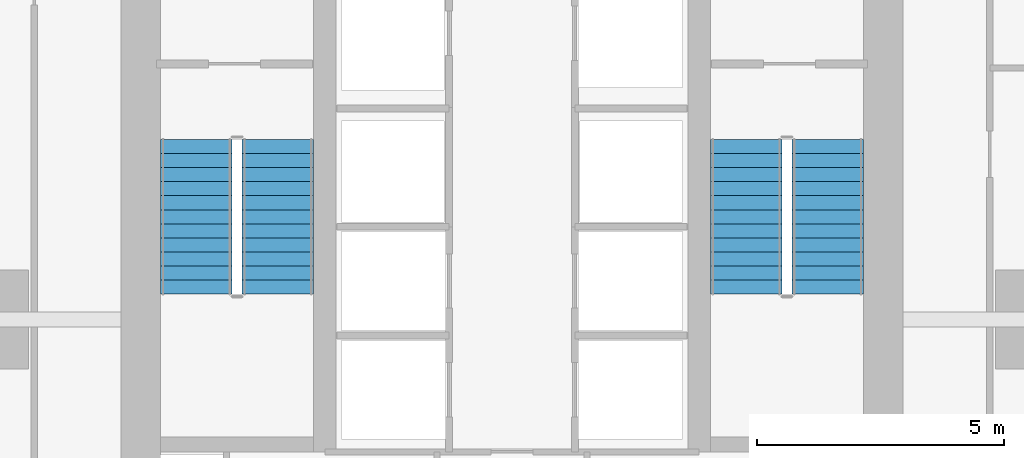
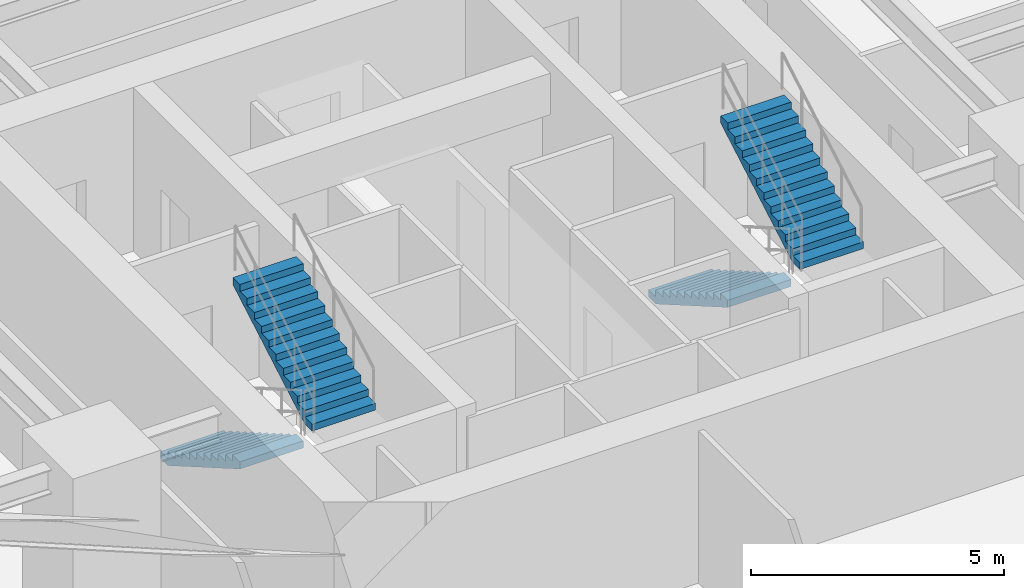
# One storey, part 25 of 27: 4 stair flights, 2 elements without a shape of their own.
"""IFC4 building model written with IfcOpenShell, lengths in metres."""

from ifc_helpers import new_model, si_unit, direction, frame, origin, place, context, subcontext, project, spatial, polyline, outline, extrude, material, type_object, element, aggregate, save


model = new_model("IFC4")

# Units and contexts
model_context = context("Model", 3, precision=1e-05, world=origin(), true_north=direction((0.0, 1.0)))
body_context = subcontext(model_context, "Body", "Model", "MODEL_VIEW")
ifc_project = project(units=[si_unit("LENGTHUNIT", "METRE"), si_unit("AREAUNIT", "SQUARE_METRE"), si_unit("VOLUMEUNIT", "CUBIC_METRE"), si_unit("PLANEANGLEUNIT", "RADIAN"), si_unit("MASSUNIT", "GRAM", prefix="KILO")], contexts=[model_context])

# Site, building, storey
site_placement = place(None, origin())
site = spatial("IfcSite", under=ifc_project, at=site_placement, CompositionType="ELEMENT")
building_placement = place(site_placement, origin())
building = spatial("IfcBuilding", under=site, at=building_placement, Name="Krantzveldt Concourse Tower", CompositionType="ELEMENT")
storey_placement = place(building_placement, frame((0.0, 0.0, 105.85009765625)))
storey = spatial("IfcBuildingStorey", under=building, at=storey_placement, Name="L25", CompositionType="ELEMENT", Elevation=105.85009765625)

# Stair, stair flights
ifc_material = material(Name="Precast concrete C40/50", Category="concrete")
stair_type = type_object("IfcStairType", Name="STR-CORE-DOGLEG", PredefinedType="HALF_TURN_STAIR", material=ifc_material)
stair_1_placement = place(storey_placement, origin())
stair_1 = element("IfcStair", 1, at=stair_1_placement, inside=storey, type_object=stair_type, Name="L25 Protected Escape Stair ST-1", PredefinedType="HALF_TURN_STAIR")
stair_flight_type = type_object("IfcStairFlightType", Name="STF-CORE-1450", PredefinedType="STRAIGHT", material=ifc_material)
stair_flight_1_placement = place(storey_placement, frame((29.60498046875, 19.550048828125, 0.0), z_axis=(0.0, 0.0, 1.0), x_axis=(0.0, -1.0, 0.0)))
stair_flight_1 = element("IfcStairFlight", 2, at=stair_flight_1_placement, type_object=stair_flight_type, Name="ST-1 flight 1", NumberOfRisers=12, NumberOfTreads=11, PredefinedType="STRAIGHT", RiserHeight=0.164583333, TreadLength=0.285, context=body_context, shape_type="SweptSolid", body=[
    extrude(outline(polyline([(0.0, 0.0), (0.0, 0.16455078125), (0.284912109375, 0.16455078125), (0.284912109375, 0.3291015625), (0.570068359375, 0.3291015625), (0.570068359375, 0.49365234375), (0.85498046875, 0.49365234375), (0.85498046875, 0.658447265625), (1.139892578125, 0.658447265625), (1.139892578125, 0.822998046875), (1.425048828125, 0.822998046875), (1.425048828125, 0.987548828125), (1.7099609375, 0.987548828125), (1.7099609375, 1.152099609375), (1.9951171875, 1.152099609375), (1.9951171875, 1.316650390625), (2.280029296875, 1.316650390625), (2.280029296875, 1.481201171875), (2.56494140625, 1.481201171875), (2.56494140625, 1.645751953125), (2.85009765625, 1.645751953125), (2.85009765625, 1.810302734375), (3.135009765625, 1.810302734375), (3.135009765625, 1.97509765625), (3.135009765625, 1.63720703125), (0.2998046875, 0.0), (0.0, 0.0)])), frame((0.0, 0.72509765625, 0.0), z_axis=(0.0, -1.0, 0.0), x_axis=(1.0, 0.0, 0.0)), (0.0, 0.0, 1.0), 1.449951171875),
])
stair_flight_2_placement = place(storey_placement, frame((31.2548828125, 16.4150390625, 1.974853515625), z_axis=(0.0, 0.0, 1.0), x_axis=(0.0, 1.0, 0.0)))
stair_flight_2 = element("IfcStairFlight", 3, at=stair_flight_2_placement, type_object=stair_flight_type, Name="ST-1 flight 2", NumberOfRisers=12, NumberOfTreads=11, PredefinedType="STRAIGHT", RiserHeight=0.164583333, TreadLength=0.285, context=body_context, shape_type="SweptSolid", body=[
    extrude(outline(polyline([(0.0, 0.0), (0.0, 0.16455078125), (0.284912109375, 0.16455078125), (0.284912109375, 0.3291015625), (0.570068359375, 0.3291015625), (0.570068359375, 0.49365234375), (0.85498046875, 0.49365234375), (0.85498046875, 0.658447265625), (1.139892578125, 0.658447265625), (1.139892578125, 0.822998046875), (1.425048828125, 0.822998046875), (1.425048828125, 0.987548828125), (1.7099609375, 0.987548828125), (1.7099609375, 1.152099609375), (1.9951171875, 1.152099609375), (1.9951171875, 1.316650390625), (2.280029296875, 1.316650390625), (2.280029296875, 1.481201171875), (2.56494140625, 1.481201171875), (2.56494140625, 1.645751953125), (2.85009765625, 1.645751953125), (2.85009765625, 1.810302734375), (3.135009765625, 1.810302734375), (3.135009765625, 1.97509765625), (3.135009765625, 1.63720703125), (0.2998046875, 0.0), (0.0, 0.0)])), frame((0.0, 0.72509765625, 0.0), z_axis=(0.0, -1.0, 0.0), x_axis=(1.0, 0.0, 0.0)), (0.0, 0.0, 1.0), 1.449951171875),
])
aggregate(stair_1, [stair_flight_1, stair_flight_2])

stair_2_placement = place(storey_placement, origin())
stair_2 = element("IfcStair", 4, at=stair_2_placement, inside=storey, type_object=stair_type, Name="L25 Protected Escape Stair ST-2", PredefinedType="HALF_TURN_STAIR")
stair_flight_3_placement = place(storey_placement, frame((40.7451171875, 19.550048828125, 0.0), z_axis=(0.0, 0.0, 1.0), x_axis=(0.0, -1.0, 0.0)))
stair_flight_3 = element("IfcStairFlight", 5, at=stair_flight_3_placement, type_object=stair_flight_type, Name="ST-2 flight 1", NumberOfRisers=12, NumberOfTreads=11, PredefinedType="STRAIGHT", RiserHeight=0.164583333, TreadLength=0.285, context=body_context, shape_type="SweptSolid", body=[
    extrude(outline(polyline([(0.0, 0.0), (0.0, 0.16455078125), (0.284912109375, 0.16455078125), (0.284912109375, 0.3291015625), (0.570068359375, 0.3291015625), (0.570068359375, 0.49365234375), (0.85498046875, 0.49365234375), (0.85498046875, 0.658447265625), (1.139892578125, 0.658447265625), (1.139892578125, 0.822998046875), (1.425048828125, 0.822998046875), (1.425048828125, 0.987548828125), (1.7099609375, 0.987548828125), (1.7099609375, 1.152099609375), (1.9951171875, 1.152099609375), (1.9951171875, 1.316650390625), (2.280029296875, 1.316650390625), (2.280029296875, 1.481201171875), (2.56494140625, 1.481201171875), (2.56494140625, 1.645751953125), (2.85009765625, 1.645751953125), (2.85009765625, 1.810302734375), (3.135009765625, 1.810302734375), (3.135009765625, 1.97509765625), (3.135009765625, 1.63720703125), (0.2998046875, 0.0), (0.0, 0.0)])), frame((0.0, 0.72509765625, 0.0), z_axis=(0.0, -1.0, 0.0), x_axis=(1.0, 0.0, 0.0)), (0.0, 0.0, 1.0), 1.449951171875),
])
stair_flight_4_placement = place(storey_placement, frame((42.39501953125, 16.4150390625, 1.974853515625), z_axis=(0.0, 0.0, 1.0), x_axis=(0.0, 1.0, 0.0)))
stair_flight_4 = element("IfcStairFlight", 6, at=stair_flight_4_placement, type_object=stair_flight_type, Name="ST-2 flight 2", NumberOfRisers=12, NumberOfTreads=11, PredefinedType="STRAIGHT", RiserHeight=0.164583333, TreadLength=0.285, context=body_context, shape_type="SweptSolid", body=[
    extrude(outline(polyline([(0.0, 0.0), (0.0, 0.16455078125), (0.284912109375, 0.16455078125), (0.284912109375, 0.3291015625), (0.570068359375, 0.3291015625), (0.570068359375, 0.49365234375), (0.85498046875, 0.49365234375), (0.85498046875, 0.658447265625), (1.139892578125, 0.658447265625), (1.139892578125, 0.822998046875), (1.425048828125, 0.822998046875), (1.425048828125, 0.987548828125), (1.7099609375, 0.987548828125), (1.7099609375, 1.152099609375), (1.9951171875, 1.152099609375), (1.9951171875, 1.316650390625), (2.280029296875, 1.316650390625), (2.280029296875, 1.481201171875), (2.56494140625, 1.481201171875), (2.56494140625, 1.645751953125), (2.85009765625, 1.645751953125), (2.85009765625, 1.810302734375), (3.135009765625, 1.810302734375), (3.135009765625, 1.97509765625), (3.135009765625, 1.63720703125), (0.2998046875, 0.0), (0.0, 0.0)])), frame((0.0, 0.72509765625, 0.0), z_axis=(0.0, -1.0, 0.0), x_axis=(1.0, 0.0, 0.0)), (0.0, 0.0, 1.0), 1.449951171875),
])
aggregate(stair_2, [stair_flight_3, stair_flight_4])

save(model, "model.ifc")
